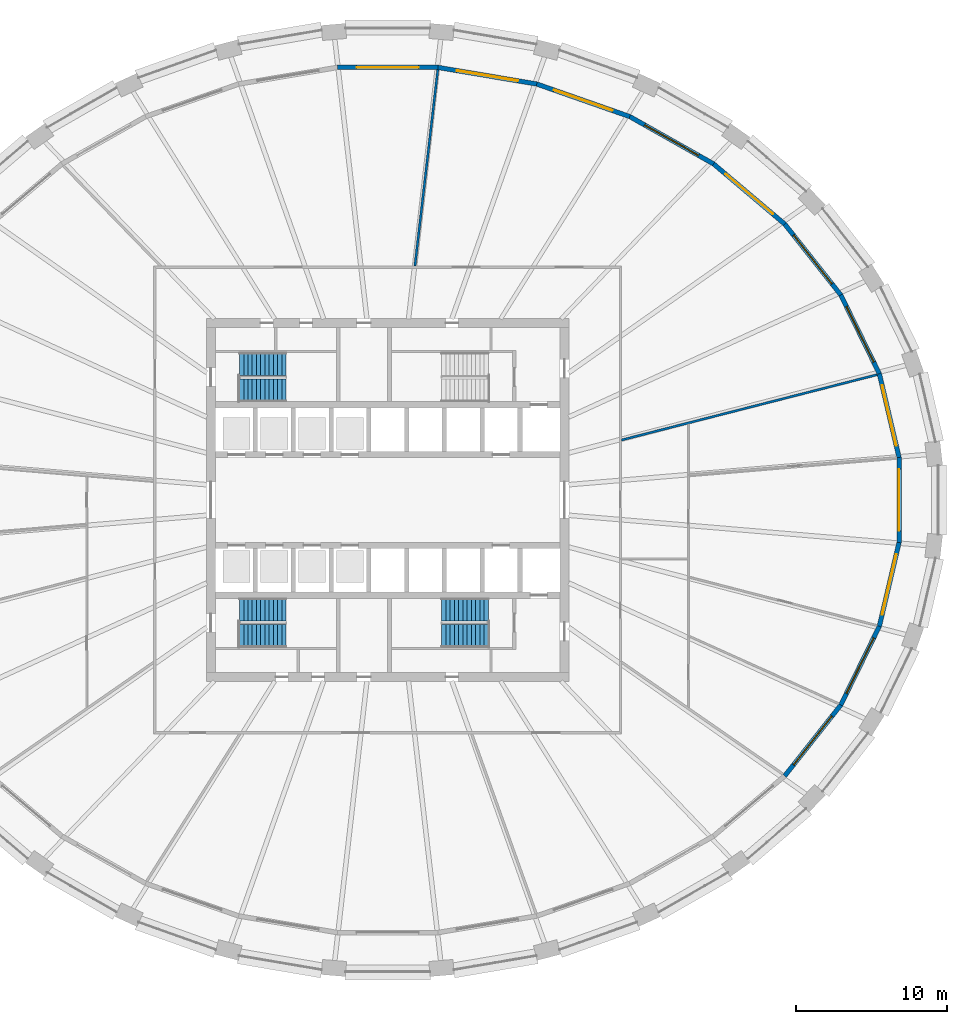
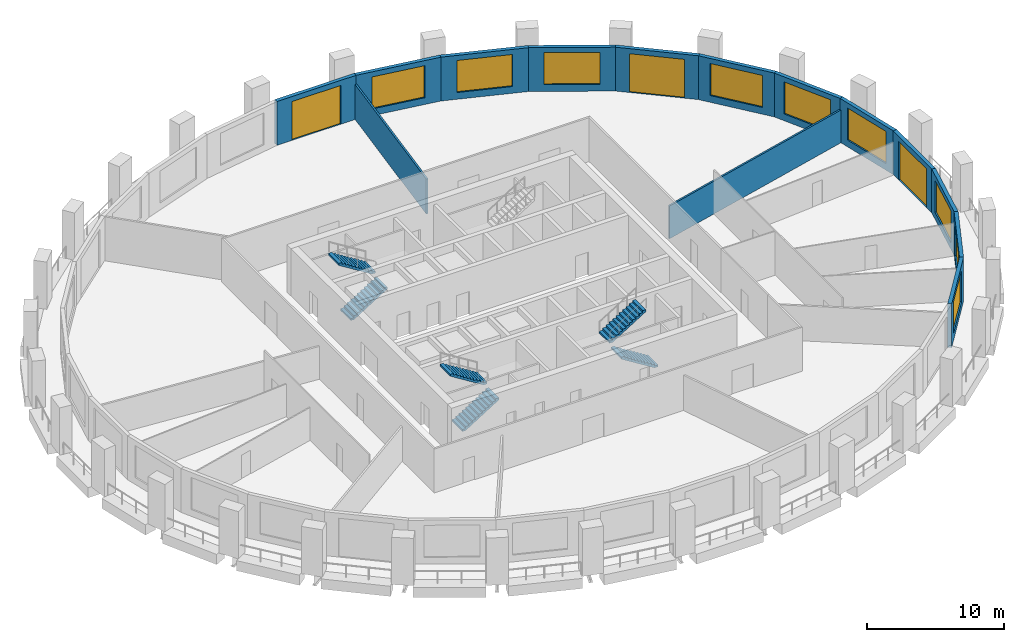
# One storey, part 7 of 11: 14 walls, 9 windows, 6 stair flights, 3 doors, 12 openings, 3 elements without a shape of their own.
"""IFC4 building model written with IfcOpenShell, lengths in metres."""

from ifc_helpers import new_model, si_unit, direction, frame, frame_2d, origin, place, context, subcontext, project, spatial, polyline, rectangle, outline, extrude, material, layer, layer_set, type_object, element, fill, aggregate, save


model = new_model("IFC4")

# Units and contexts
model_context = context("Model", 3, precision=1e-05, world=origin(), true_north=direction((0.0, 1.0)))
body_context = subcontext(model_context, "Body", "Model", "MODEL_VIEW")
ifc_project = project(units=[si_unit("LENGTHUNIT", "METRE"), si_unit("AREAUNIT", "SQUARE_METRE"), si_unit("VOLUMEUNIT", "CUBIC_METRE"), si_unit("PLANEANGLEUNIT", "RADIAN"), si_unit("MASSUNIT", "GRAM", prefix="KILO")], contexts=[model_context])

# Site, building, storey
site_placement = place(None, origin())
site = spatial("IfcSite", under=ifc_project, at=site_placement, CompositionType="ELEMENT")
building_placement = place(site_placement, origin())
building = spatial("IfcBuilding", under=site, at=building_placement, Name="Halqa Exchange Tower", CompositionType="ELEMENT")
storey_placement = place(building_placement, frame((0.0, 0.0, 82.300048828125)))
storey = spatial("IfcBuildingStorey", under=building, at=storey_placement, Name="L18", CompositionType="ELEMENT", Elevation=82.300048828125)

# Walls
ifc_material_1 = material(Name="Fire-rated gypsum board")
ifc_layer_1 = layer(ifc_material_1, 0.14990234375)
ifc_layer_set_1 = layer_set([ifc_layer_1], Name="Fire-rated gypsum board")
wall_type_1 = type_object("IfcWallType", Name="Fire partition EI 60 150", PredefinedType="PARTITIONING", material=ifc_layer_set_1)
wall_1_placement = place(storey_placement, frame((1.7978515625, 15.466552734375, 0.0), z_axis=(0.0, 0.0, 1.0), x_axis=(0.115980148961, 0.993251531611, 0.0)))
element("IfcWall", 1, at=wall_1_placement, inside=storey, type_object=wall_type_1, Name="L18-PWL-011", PredefinedType="PARTITIONING", context=body_context, shape_type="SweptSolid", body=[
    extrude(outline(polyline([(13.07861328125, -0.074951171875), (13.07861328125, 0.03369140625), (13.07373046875, 0.074951171875), (11.2060546875, 0.074951171875), (9.33837890625, 0.074951171875), (7.470703125, 0.074951171875), (5.60302734375, 0.074951171875), (3.7353515625, 0.074951171875), (1.86767578125, 0.074951171875), (0.0, 0.074951171875), (0.0, 0.07275390625), (0.017333984375, -0.074951171875), (1.883056640625, -0.074951171875), (3.7490234375, -0.074951171875), (5.614990234375, -0.074951171875), (7.48095703125, -0.074951171875), (9.3466796875, -0.074951171875), (11.212646484375, -0.074951171875), (13.07861328125, -0.074951171875)])), origin(), (0.0, 0.0, 1.0), 3.10986328125),
])
wall_2_placement = place(storey_placement, frame((15.456787109375, 3.964599609375, 0.0), z_axis=(0.0, 0.0, 1.0), x_axis=(0.968864500014, 0.24759156006, 0.0)))
element("IfcWall", 2, at=wall_2_placement, inside=storey, type_object=wall_type_1, Name="L18-PWL-018", PredefinedType="PARTITIONING", context=body_context, shape_type="SweptSolid", body=[
    extrude(outline(polyline([(0.0, -0.074951171875), (1.505126953125, -0.074951171875), (3.01025390625, -0.074951171875), (4.51513671875, -0.074951171875), (4.515380859375, -0.074951171875), (4.515625, -0.074951171875), (6.365234375, -0.074951171875), (8.21484375, -0.074951171875), (10.064453125, -0.074951171875), (11.9140625, -0.074951171875), (13.763916015625, -0.074951171875), (15.613525390625, -0.074951171875), (17.463134765625, -0.074951171875), (17.463134765625, 0.022705078125), (17.4521484375, 0.074951171875), (15.517333984375, 0.074951171875), (13.582275390625, 0.074951171875), (11.6474609375, 0.074951171875), (9.712646484375, 0.074951171875), (7.777587890625, 0.074951171875), (5.8427734375, 0.074951171875), (3.90771484375, 0.074951171875), (1.972900390625, 0.074951171875), (0.037841796875, 0.074951171875), (0.0, -0.073486328125), (0.0, -0.074951171875)])), origin(), (0.0, 0.0, 1.0), 2.909912109375),
])

# Wall, opening, window
ifc_material_2 = material(Name="Limestone cladding", Category="masonry")
ifc_layer_2 = layer(ifc_material_2, 0.0400390625)
ifc_material_3 = material(Name="Ventilated cavity")
ifc_layer_3 = layer(ifc_material_3, 0.030029296875, ventilated=True)
ifc_material_4 = material(Name="Mineral wool insulation")
ifc_layer_4 = layer(ifc_material_4, 0.10009765625)
ifc_material_5 = material(Name="Concrete C30/37", Category="concrete")
ifc_layer_5 = layer(ifc_material_5, 0.10009765625)
ifc_material_6 = material(Name="Internal plaster")
ifc_layer_6 = layer(ifc_material_6, 0.030029296875)
ifc_layer_set_2 = layer_set([ifc_layer_2, ifc_layer_3, ifc_layer_4, ifc_layer_5, ifc_layer_6], Name="Stone-faced insulated wall 300")
wall_type_2 = type_object("IfcWallType", Name="Stone-faced insulated wall 300", PredefinedType="STANDARD", material=ifc_layer_set_2)
wall_3_placement = place(storey_placement, frame((33.818603515625, 2.820556640625, 0.0), z_axis=(0.0, 0.0, 1.0), x_axis=(-0.229058489262, 0.97341266095, 0.0)))
wall_3 = element("IfcWall", 3, at=wall_3_placement, inside=storey, type_object=wall_type_2, Name="Glass-line wall 1", PredefinedType="STANDARD", context=body_context, shape_type="SweptSolid", body=[
    extrude(outline(polyline([(-0.017333984375, -0.14990234375), (5.699951171875, -0.14990234375), (5.666259765625, 0.14990234375), (0.017333984375, 0.14990234375), (-0.017333984375, -0.14990234375)])), origin(), (0.0, 0.0, 1.0), 3.89990234375),
])
opening_1_placement = place(wall_3_placement, frame((0.79150390625, 0.0, 0.60009765625)))
opening_1 = element("IfcOpeningElement", 4, at=opening_1_placement, cuts=wall_3, Name="Opening W-F1-01", PredefinedType="OPENING", context=body_context, shape_type="SweptSolid", body=[
    extrude(rectangle(XDim=4.10009765625, YDim=2.85009765625, at=frame_2d((2.050048828125, 1.425048828125))), frame((0.0, 0.162109375, 0.0), z_axis=(0.0, -1.0, 0.0), x_axis=(1.0, 0.0, 0.0)), (0.0, 0.0, 1.0), 0.323974609375),
])
ifc_material_7 = material(Name="Clear low-emissivity glass in aluminium frame", Category="aluminium")
window_type = type_object("IfcWindowType", Name="Fixed clear glazed window 4100 x 2850", PartitioningType="TRIPLE_PANEL_VERTICAL", PredefinedType="WINDOW", material=ifc_material_7)
window_1_placement = place(opening_1_placement, origin())
window_1 = element("IfcWindow", 5, at=window_1_placement, inside=storey, type_object=window_type, Name="Window 1", OverallHeight=2.85009765625, OverallWidth=4.10009765625, PartitioningType="TRIPLE_PANEL_VERTICAL", PredefinedType="WINDOW", context=body_context, shape_type="SweptSolid", body=[
    extrude(rectangle(XDim=4.10009765625, YDim=2.85009765625, at=frame_2d((2.050048828125, 1.425048828125))), frame((0.0, 0.030029296875, 0.0), z_axis=(0.0, -1.0, 0.0), x_axis=(1.0, 0.0, 0.0)), (0.0, 0.0, 1.0), 0.06005859375),
])
fill(opening_1, window_1)

wall_4_placement = place(storey_placement, frame((32.516845703125, 8.3525390625, 0.0), z_axis=(0.0, 0.0, 1.0), x_axis=(-0.440027465772, 0.897984314655, 0.0)))
wall_4 = element("IfcWall", 6, at=wall_4_placement, inside=storey, type_object=wall_type_2, Name="Glass-line wall 2", PredefinedType="STANDARD", context=body_context, shape_type="SweptSolid", body=[
    extrude(outline(polyline([(-0.016845703125, -0.14990234375), (5.81689453125, -0.14990234375), (5.78466796875, 0.14990234375), (0.016845703125, 0.14990234375), (-0.016845703125, -0.14990234375)])), origin(), (0.0, 0.0, 1.0), 3.89990234375),
])
opening_2_placement = place(wall_4_placement, frame((0.850341796875, 0.0, 0.60009765625)))
opening_2 = element("IfcOpeningElement", 7, at=opening_2_placement, cuts=wall_4, Name="Opening W-F1-02", PredefinedType="OPENING", context=body_context, shape_type="SweptSolid", body=[
    extrude(rectangle(XDim=4.10009765625, YDim=2.85009765625, at=frame_2d((2.050048828125, 1.425048828125))), frame((0.0, 0.162109375, 0.0), z_axis=(0.0, -1.0, 0.0), x_axis=(1.0, 0.0, 0.0)), (0.0, 0.0, 1.0), 0.323974609375),
])
window_2_placement = place(opening_2_placement, origin())
window_2 = element("IfcWindow", 8, at=window_2_placement, inside=storey, type_object=window_type, Name="Window 1", OverallHeight=2.85009765625, OverallWidth=4.10009765625, PartitioningType="TRIPLE_PANEL_VERTICAL", PredefinedType="WINDOW", context=body_context, shape_type="SweptSolid", body=[
    extrude(rectangle(XDim=4.10009765625, YDim=2.85009765625, at=frame_2d((2.050048828125, 1.425048828125))), frame((0.0, 0.030029296875, 0.0), z_axis=(0.0, -1.0, 0.0), x_axis=(1.0, 0.0, 0.0)), (0.0, 0.0, 1.0), 0.06005859375),
])
fill(opening_2, window_2)

wall_5_placement = place(storey_placement, frame((29.96435546875, 13.5615234375, 0.0), z_axis=(0.0, 0.0, 1.0), x_axis=(-0.620093447965, 0.784527957303, 0.0)))
wall_5 = element("IfcWall", 9, at=wall_5_placement, inside=storey, type_object=wall_type_2, Name="Glass-line wall 3", PredefinedType="STANDARD", context=body_context, shape_type="SweptSolid", body=[
    extrude(outline(polyline([(-0.01611328125, -0.14990234375), (5.98828125, -0.14990234375), (5.9580078125, 0.14990234375), (0.01611328125, 0.14990234375), (-0.01611328125, -0.14990234375)])), origin(), (0.0, 0.0, 1.0), 3.89990234375),
])
opening_3_placement = place(wall_5_placement, frame((0.9365234375, 0.0, 0.60009765625)))
opening_3 = element("IfcOpeningElement", 10, at=opening_3_placement, cuts=wall_5, Name="Opening W-F1-03", PredefinedType="OPENING", context=body_context, shape_type="SweptSolid", body=[
    extrude(rectangle(XDim=4.10009765625, YDim=2.85009765625, at=frame_2d((2.050048828125, 1.425048828125))), frame((0.0, 0.162109375, 0.0), z_axis=(0.0, -1.0, 0.0), x_axis=(1.0, 0.0, 0.0)), (0.0, 0.0, 1.0), 0.323974609375),
])
window_3_placement = place(opening_3_placement, origin())
window_3 = element("IfcWindow", 11, at=window_3_placement, inside=storey, type_object=window_type, Name="Window 1", OverallHeight=2.85009765625, OverallWidth=4.10009765625, PartitioningType="TRIPLE_PANEL_VERTICAL", PredefinedType="WINDOW", context=body_context, shape_type="SweptSolid", body=[
    extrude(rectangle(XDim=4.10009765625, YDim=2.85009765625, at=frame_2d((2.050048828125, 1.425048828125))), frame((0.0, 0.030029296875, 0.0), z_axis=(0.0, -1.0, 0.0), x_axis=(1.0, 0.0, 0.0)), (0.0, 0.0, 1.0), 0.06005859375),
])
fill(opening_3, window_3)

# Wall, opening, door
wall_6_placement = place(storey_placement, frame((26.260498046875, 18.24755859375, 0.0), z_axis=(0.0, 0.0, 1.0), x_axis=(-0.763693886759, 0.645578536916, 0.0)))
wall_6 = element("IfcWall", 12, at=wall_6_placement, inside=storey, type_object=wall_type_2, Name="Glass-line wall 4", PredefinedType="STANDARD", context=body_context, shape_type="SweptSolid", body=[
    extrude(outline(polyline([(-0.01513671875, -0.14990234375), (6.18408203125, -0.14990234375), (6.15576171875, 0.14990234375), (0.01513671875, 0.14990234375), (-0.01513671875, -0.14990234375)])), origin(), (0.0, 0.0, 1.0), 3.89990234375),
])
opening_4_placement = place(wall_6_placement, frame((1.034912109375, 0.0, 0.0)))
opening_4 = element("IfcOpeningElement", 13, at=opening_4_placement, cuts=wall_6, Name="Opening LG-F1-01", PredefinedType="OPENING", context=body_context, shape_type="SweptSolid", body=[
    extrude(rectangle(XDim=4.10009765625, YDim=3.449951171875, at=frame_2d((2.050048828125, 1.72509765625))), frame((0.0, 0.162109375, 0.0), z_axis=(0.0, -1.0, 0.0), x_axis=(1.0, 0.0, 0.0)), (0.0, 0.0, 1.0), 0.323974609375),
])
door_type = type_object("IfcDoorType", Name="Glazed sliding loggia door 4100 x 3450", OperationType="DOUBLE_DOOR_SLIDING", PredefinedType="DOOR", material=ifc_material_7)
door_1_placement = place(opening_4_placement, origin())
door_1 = element("IfcDoor", 14, at=door_1_placement, inside=storey, type_object=door_type, Name="Loggia door 1", OperationType="DOUBLE_DOOR_SLIDING", OverallHeight=3.449951171875, OverallWidth=4.10009765625, PredefinedType="DOOR", context=body_context, shape_type="SweptSolid", body=[
    extrude(rectangle(XDim=4.10009765625, YDim=3.449951171875, at=frame_2d((2.050048828125, 1.72509765625))), frame((0.0, 0.02490234375, 0.0), z_axis=(0.0, -1.0, 0.0), x_axis=(1.0, 0.0, 0.0)), (0.0, 0.0, 1.0), 0.050048828125),
])
fill(opening_4, door_1)

# Wall, opening, window
wall_7_placement = place(storey_placement, frame((21.548583984375, 22.230712890625, 0.0), z_axis=(0.0, 0.0, 1.0), x_axis=(-0.870710061474, 0.491796694629, 0.0)))
wall_7 = element("IfcWall", 15, at=wall_7_placement, inside=storey, type_object=wall_type_2, Name="Glass-line wall 5", PredefinedType="STANDARD", context=body_context, shape_type="SweptSolid", body=[
    extrude(outline(polyline([(-0.01416015625, -0.14990234375), (6.3740234375, -0.14990234375), (6.34716796875, 0.14990234375), (0.01416015625, 0.14990234375), (-0.01416015625, -0.14990234375)])), origin(), (0.0, 0.0, 1.0), 3.89990234375),
])
opening_5_placement = place(wall_7_placement, frame((1.13037109375, 0.0, 0.60009765625)))
opening_5 = element("IfcOpeningElement", 16, at=opening_5_placement, cuts=wall_7, Name="Opening W-F1-05", PredefinedType="OPENING", context=body_context, shape_type="SweptSolid", body=[
    extrude(rectangle(XDim=4.10009765625, YDim=2.85009765625, at=frame_2d((2.050048828125, 1.425048828125))), frame((0.0, 0.162109375, 0.0), z_axis=(0.0, -1.0, 0.0), x_axis=(1.0, 0.0, 0.0)), (0.0, 0.0, 1.0), 0.323974609375),
])
window_4_placement = place(opening_5_placement, origin())
window_4 = element("IfcWindow", 17, at=window_4_placement, inside=storey, type_object=window_type, Name="Window 1", OverallHeight=2.85009765625, OverallWidth=4.10009765625, PartitioningType="TRIPLE_PANEL_VERTICAL", PredefinedType="WINDOW", context=body_context, shape_type="SweptSolid", body=[
    extrude(rectangle(XDim=4.10009765625, YDim=2.85009765625, at=frame_2d((2.050048828125, 1.425048828125))), frame((0.0, 0.030029296875, 0.0), z_axis=(0.0, -1.0, 0.0), x_axis=(1.0, 0.0, 0.0)), (0.0, 0.0, 1.0), 0.06005859375),
])
fill(opening_5, window_4)

wall_8_placement = place(storey_placement, frame((16.01025390625, 25.35888671875, 0.0), z_axis=(0.0, 0.0, 1.0), x_axis=(-0.943815136299, 0.330473884736, 0.0)))
wall_8 = element("IfcWall", 18, at=wall_8_placement, inside=storey, type_object=wall_type_2, Name="Glass-line wall 6", PredefinedType="STANDARD", context=body_context, shape_type="SweptSolid", body=[
    extrude(outline(polyline([(-0.013427734375, -0.14990234375), (6.53076171875, -0.14990234375), (6.50537109375, 0.14990234375), (0.013427734375, 0.14990234375), (-0.013427734375, -0.14990234375)])), origin(), (0.0, 0.0, 1.0), 3.89990234375),
])
opening_6_placement = place(wall_8_placement, frame((1.208984375, 0.0, 0.60009765625)))
opening_6 = element("IfcOpeningElement", 19, at=opening_6_placement, cuts=wall_8, Name="Opening W-F1-06", PredefinedType="OPENING", context=body_context, shape_type="SweptSolid", body=[
    extrude(rectangle(XDim=4.10009765625, YDim=2.85009765625, at=frame_2d((2.050048828125, 1.425048828125))), frame((0.0, 0.162109375, 0.0), z_axis=(0.0, -1.0, 0.0), x_axis=(1.0, 0.0, 0.0)), (0.0, 0.0, 1.0), 0.323974609375),
])
window_5_placement = place(opening_6_placement, origin())
window_5 = element("IfcWindow", 20, at=window_5_placement, inside=storey, type_object=window_type, Name="Window 1", OverallHeight=2.85009765625, OverallWidth=4.10009765625, PartitioningType="TRIPLE_PANEL_VERTICAL", PredefinedType="WINDOW", context=body_context, shape_type="SweptSolid", body=[
    extrude(rectangle(XDim=4.10009765625, YDim=2.85009765625, at=frame_2d((2.050048828125, 1.425048828125))), frame((0.0, 0.030029296875, 0.0), z_axis=(0.0, -1.0, 0.0), x_axis=(1.0, 0.0, 0.0)), (0.0, 0.0, 1.0), 0.06005859375),
])
fill(opening_6, window_5)

wall_9_placement = place(storey_placement, frame((9.8583984375, 27.512939453125, 0.0), z_axis=(0.0, 0.0, 1.0), x_axis=(-0.986157735925, 0.165809890767, 0.0)))
wall_9 = element("IfcWall", 21, at=wall_9_placement, inside=storey, type_object=wall_type_2, Name="Glass-line wall 7", PredefinedType="STANDARD", context=body_context, shape_type="SweptSolid", body=[
    extrude(outline(polyline([(-0.0126953125, -0.14990234375), (6.6337890625, -0.14990234375), (6.60888671875, 0.14990234375), (0.0126953125, 0.14990234375), (-0.0126953125, -0.14990234375)])), origin(), (0.0, 0.0, 1.0), 3.89990234375),
])
opening_7_placement = place(wall_9_placement, frame((1.2607421875, 0.0, 0.60009765625)))
opening_7 = element("IfcOpeningElement", 22, at=opening_7_placement, cuts=wall_9, Name="Opening W-F1-07", PredefinedType="OPENING", context=body_context, shape_type="SweptSolid", body=[
    extrude(rectangle(XDim=4.10009765625, YDim=2.85009765625, at=frame_2d((2.050048828125, 1.425048828125))), frame((0.0, 0.162109375, 0.0), z_axis=(0.0, -1.0, 0.0), x_axis=(1.0, 0.0, 0.0)), (0.0, 0.0, 1.0), 0.323974609375),
])
window_6_placement = place(opening_7_placement, origin())
window_6 = element("IfcWindow", 23, at=window_6_placement, inside=storey, type_object=window_type, Name="Window 1", OverallHeight=2.85009765625, OverallWidth=4.10009765625, PartitioningType="TRIPLE_PANEL_VERTICAL", PredefinedType="WINDOW", context=body_context, shape_type="SweptSolid", body=[
    extrude(rectangle(XDim=4.10009765625, YDim=2.85009765625, at=frame_2d((2.050048828125, 1.425048828125))), frame((0.0, 0.030029296875, 0.0), z_axis=(0.0, -1.0, 0.0), x_axis=(1.0, 0.0, 0.0)), (0.0, 0.0, 1.0), 0.06005859375),
])
fill(opening_7, window_6)

# Wall, opening, door
wall_10_placement = place(storey_placement, frame((3.32861328125, 28.61083984375, 0.0), z_axis=(0.0, 0.0, 1.0), x_axis=(-1.0, 0.0, 0.0)))
wall_10 = element("IfcWall", 24, at=wall_10_placement, inside=storey, type_object=wall_type_2, Name="Glass-line wall 8", PredefinedType="STANDARD", context=body_context, shape_type="SweptSolid", body=[
    extrude(outline(polyline([(-0.012451171875, -0.14990234375), (6.669677734375, -0.14990234375), (6.644775390625, 0.14990234375), (0.012451171875, 0.14990234375), (-0.012451171875, -0.14990234375)])), origin(), (0.0, 0.0, 1.0), 3.89990234375),
])
opening_8_placement = place(wall_10_placement, frame((1.278564453125, 0.0, 0.0)))
opening_8 = element("IfcOpeningElement", 25, at=opening_8_placement, cuts=wall_10, Name="Opening LG-F1-02", PredefinedType="OPENING", context=body_context, shape_type="SweptSolid", body=[
    extrude(rectangle(XDim=4.10009765625, YDim=3.449951171875, at=frame_2d((2.050048828125, 1.72509765625))), frame((0.0, 0.162109375, 0.0), z_axis=(0.0, -1.0, 0.0), x_axis=(1.0, 0.0, 0.0)), (0.0, 0.0, 1.0), 0.323974609375),
])
door_2_placement = place(opening_8_placement, origin())
door_2 = element("IfcDoor", 26, at=door_2_placement, inside=storey, type_object=door_type, Name="Loggia door 2", OperationType="DOUBLE_DOOR_SLIDING", OverallHeight=3.449951171875, OverallWidth=4.10009765625, PredefinedType="DOOR", context=body_context, shape_type="SweptSolid", body=[
    extrude(rectangle(XDim=4.10009765625, YDim=3.449951171875, at=frame_2d((2.050048828125, 1.72509765625))), frame((0.0, 0.02490234375, 0.0), z_axis=(0.0, -1.0, 0.0), x_axis=(1.0, 0.0, 0.0)), (0.0, 0.0, 1.0), 0.050048828125),
])
fill(opening_8, door_2)

# Wall, opening, window
wall_11_placement = place(storey_placement, frame((26.260498046875, -18.24755859375, 0.0), z_axis=(0.0, 0.0, 1.0), x_axis=(0.620093447965, 0.784527957303, 0.0)))
wall_11 = element("IfcWall", 27, at=wall_11_placement, inside=storey, type_object=wall_type_2, Name="Glass-line wall 29", PredefinedType="STANDARD", context=body_context, shape_type="SweptSolid", body=[
    extrude(outline(polyline([(-0.01513671875, -0.14990234375), (5.9892578125, -0.14990234375), (5.95703125, 0.14990234375), (0.01513671875, 0.14990234375), (-0.01513671875, -0.14990234375)])), origin(), (0.0, 0.0, 1.0), 3.89990234375),
])
opening_9_placement = place(wall_11_placement, frame((0.9365234375, 0.0, 0.60009765625)))
opening_9 = element("IfcOpeningElement", 28, at=opening_9_placement, cuts=wall_11, Name="Opening W-F1-29", PredefinedType="OPENING", context=body_context, shape_type="SweptSolid", body=[
    extrude(rectangle(XDim=4.10009765625, YDim=2.85009765625, at=frame_2d((2.050048828125, 1.425048828125))), frame((0.0, 0.162109375, 0.0), z_axis=(0.0, -1.0, 0.0), x_axis=(1.0, 0.0, 0.0)), (0.0, 0.0, 1.0), 0.323974609375),
])
window_7_placement = place(opening_9_placement, origin())
window_7 = element("IfcWindow", 29, at=window_7_placement, inside=storey, type_object=window_type, Name="Window 1", OverallHeight=2.85009765625, OverallWidth=4.10009765625, PartitioningType="TRIPLE_PANEL_VERTICAL", PredefinedType="WINDOW", context=body_context, shape_type="SweptSolid", body=[
    extrude(rectangle(XDim=4.10009765625, YDim=2.85009765625, at=frame_2d((2.050048828125, 1.425048828125))), frame((0.0, 0.030029296875, 0.0), z_axis=(0.0, -1.0, 0.0), x_axis=(1.0, 0.0, 0.0)), (0.0, 0.0, 1.0), 0.06005859375),
])
fill(opening_9, window_7)

wall_12_placement = place(storey_placement, frame((29.96435546875, -13.5615234375, 0.0), z_axis=(0.0, 0.0, 1.0), x_axis=(0.440027465772, 0.897984314655, 0.0)))
wall_12 = element("IfcWall", 30, at=wall_12_placement, inside=storey, type_object=wall_type_2, Name="Glass-line wall 30", PredefinedType="STANDARD", context=body_context, shape_type="SweptSolid", body=[
    extrude(outline(polyline([(-0.01611328125, -0.14990234375), (5.817626953125, -0.14990234375), (5.783935546875, 0.14990234375), (0.01611328125, 0.14990234375), (-0.01611328125, -0.14990234375)])), origin(), (0.0, 0.0, 1.0), 3.89990234375),
])
opening_10_placement = place(wall_12_placement, frame((0.850341796875, 0.0, 0.60009765625)))
opening_10 = element("IfcOpeningElement", 31, at=opening_10_placement, cuts=wall_12, Name="Opening W-F1-30", PredefinedType="OPENING", context=body_context, shape_type="SweptSolid", body=[
    extrude(rectangle(XDim=4.10009765625, YDim=2.85009765625, at=frame_2d((2.050048828125, 1.425048828125))), frame((0.0, 0.162109375, 0.0), z_axis=(0.0, -1.0, 0.0), x_axis=(1.0, 0.0, 0.0)), (0.0, 0.0, 1.0), 0.323974609375),
])
window_8_placement = place(opening_10_placement, origin())
window_8 = element("IfcWindow", 32, at=window_8_placement, inside=storey, type_object=window_type, Name="Window 1", OverallHeight=2.85009765625, OverallWidth=4.10009765625, PartitioningType="TRIPLE_PANEL_VERTICAL", PredefinedType="WINDOW", context=body_context, shape_type="SweptSolid", body=[
    extrude(rectangle(XDim=4.10009765625, YDim=2.85009765625, at=frame_2d((2.050048828125, 1.425048828125))), frame((0.0, 0.030029296875, 0.0), z_axis=(0.0, -1.0, 0.0), x_axis=(1.0, 0.0, 0.0)), (0.0, 0.0, 1.0), 0.06005859375),
])
fill(opening_10, window_8)

wall_13_placement = place(storey_placement, frame((32.516845703125, -8.3525390625, 0.0), z_axis=(0.0, 0.0, 1.0), x_axis=(0.229058489262, 0.97341266095, 0.0)))
wall_13 = element("IfcWall", 33, at=wall_13_placement, inside=storey, type_object=wall_type_2, Name="Glass-line wall 31", PredefinedType="STANDARD", context=body_context, shape_type="SweptSolid", body=[
    extrude(outline(polyline([(-0.016845703125, -0.14990234375), (5.700439453125, -0.14990234375), (5.665771484375, 0.14990234375), (0.016845703125, 0.14990234375), (-0.016845703125, -0.14990234375)])), origin(), (0.0, 0.0, 1.0), 3.89990234375),
])
opening_11_placement = place(wall_13_placement, frame((0.79150390625, 0.0, 0.60009765625)))
opening_11 = element("IfcOpeningElement", 34, at=opening_11_placement, cuts=wall_13, Name="Opening W-F1-31", PredefinedType="OPENING", context=body_context, shape_type="SweptSolid", body=[
    extrude(rectangle(XDim=4.10009765625, YDim=2.85009765625, at=frame_2d((2.050048828125, 1.425048828125))), frame((0.0, 0.162109375, 0.0), z_axis=(0.0, -1.0, 0.0), x_axis=(1.0, 0.0, 0.0)), (0.0, 0.0, 1.0), 0.323974609375),
])
window_9_placement = place(opening_11_placement, origin())
window_9 = element("IfcWindow", 35, at=window_9_placement, inside=storey, type_object=window_type, Name="Window 1", OverallHeight=2.85009765625, OverallWidth=4.10009765625, PartitioningType="TRIPLE_PANEL_VERTICAL", PredefinedType="WINDOW", context=body_context, shape_type="SweptSolid", body=[
    extrude(rectangle(XDim=4.10009765625, YDim=2.85009765625, at=frame_2d((2.050048828125, 1.425048828125))), frame((0.0, 0.030029296875, 0.0), z_axis=(0.0, -1.0, 0.0), x_axis=(1.0, 0.0, 0.0)), (0.0, 0.0, 1.0), 0.06005859375),
])
fill(opening_11, window_9)

# Wall, opening, door
wall_14_placement = place(storey_placement, frame((33.818603515625, -2.820556640625, 0.0), z_axis=(0.0, 0.0, 1.0), x_axis=(0.0, 1.0, 0.0)))
wall_14 = element("IfcWall", 36, at=wall_14_placement, inside=storey, type_object=wall_type_2, Name="Glass-line wall 32", PredefinedType="STANDARD", context=body_context, shape_type="SweptSolid", body=[
    extrude(outline(polyline([(-0.017333984375, -0.14990234375), (5.658447265625, -0.14990234375), (5.623779296875, 0.14990234375), (0.017333984375, 0.14990234375), (-0.017333984375, -0.14990234375)])), origin(), (0.0, 0.0, 1.0), 3.89990234375),
])
opening_12_placement = place(wall_14_placement, frame((0.7705078125, 0.0, 0.0)))
opening_12 = element("IfcOpeningElement", 37, at=opening_12_placement, cuts=wall_14, Name="Opening LG-F1-08", PredefinedType="OPENING", context=body_context, shape_type="SweptSolid", body=[
    extrude(rectangle(XDim=4.10009765625, YDim=3.449951171875, at=frame_2d((2.050048828125, 1.72509765625))), frame((0.0, 0.162109375, 0.0), z_axis=(0.0, -1.0, 0.0), x_axis=(1.0, 0.0, 0.0)), (0.0, 0.0, 1.0), 0.323974609375),
])
door_3_placement = place(opening_12_placement, origin())
door_3 = element("IfcDoor", 38, at=door_3_placement, inside=storey, type_object=door_type, Name="Loggia door 8", OperationType="DOUBLE_DOOR_SLIDING", OverallHeight=3.449951171875, OverallWidth=4.10009765625, PredefinedType="DOOR", context=body_context, shape_type="SweptSolid", body=[
    extrude(rectangle(XDim=4.10009765625, YDim=3.449951171875, at=frame_2d((2.050048828125, 1.72509765625))), frame((0.0, 0.02490234375, 0.0), z_axis=(0.0, -1.0, 0.0), x_axis=(1.0, 0.0, 0.0)), (0.0, 0.0, 1.0), 0.050048828125),
])
fill(opening_12, door_3)

# Stair, stair flights
stair_type = type_object("IfcStairType", Name="Exit stair 1500 wide", PredefinedType="HALF_TURN_STAIR", material=ifc_material_5)
stair_1_placement = place(storey_placement, origin())
stair_1 = element("IfcStair", 39, at=stair_1_placement, inside=storey, type_object=stair_type, Name="Exit stair ST1", PredefinedType="HALF_TURN_STAIR")
stair_flight_type = type_object("IfcStairFlightType", Name="Stair flight 1500 wide", PredefinedType="STRAIGHT", material=ifc_material_5)
stair_flight_1_placement = place(storey_placement, frame((-9.800048828125, 7.25, 0.0), z_axis=(0.0, 0.0, 1.0), x_axis=(1.0, 0.0, 0.0)))
stair_flight_1 = element("IfcStairFlight", 40, at=stair_flight_1_placement, type_object=stair_flight_type, Name="ST1 flight 1", NumberOfRisers=12, NumberOfTreads=11, PredefinedType="STRAIGHT", RiserHeight=0.175, TreadLength=0.28, context=body_context, shape_type="SweptSolid", body=[
    extrude(outline(polyline([(0.0, 0.0), (0.0, 0.175048828125), (0.280029296875, 0.175048828125), (0.280029296875, 0.35009765625), (0.56005859375, 0.35009765625), (0.56005859375, 0.52490234375), (0.840087890625, 0.52490234375), (0.840087890625, 0.699951171875), (1.1201171875, 0.699951171875), (1.1201171875, 0.875), (1.39990234375, 0.875), (1.39990234375, 1.050048828125), (1.679931640625, 1.050048828125), (1.679931640625, 1.22509765625), (1.9599609375, 1.22509765625), (1.9599609375, 1.39990234375), (2.239990234375, 1.39990234375), (2.239990234375, 1.574951171875), (2.52001953125, 1.574951171875), (2.52001953125, 1.75), (2.800048828125, 1.75), (2.800048828125, 1.925048828125), (3.080078125, 1.925048828125), (3.080078125, 2.10009765625), (3.080078125, 1.748291015625), (0.28271484375, 0.0), (0.0, 0.0)])), frame((0.0, 0.75, 0.0), z_axis=(0.0, -1.0, 0.0), x_axis=(1.0, 0.0, 0.0)), (0.0, 0.0, 1.0), 1.5),
])
stair_flight_2_placement = place(storey_placement, frame((-6.719970703125, 9.0, 2.099853515625), z_axis=(0.0, 0.0, 1.0), x_axis=(-1.0, 0.0, 0.0)))
stair_flight_2 = element("IfcStairFlight", 41, at=stair_flight_2_placement, type_object=stair_flight_type, Name="ST1 flight 2", NumberOfRisers=12, NumberOfTreads=11, PredefinedType="STRAIGHT", RiserHeight=0.175, TreadLength=0.28, context=body_context, shape_type="SweptSolid", body=[
    extrude(outline(polyline([(0.0, 0.0), (0.0, 0.175048828125), (0.280029296875, 0.175048828125), (0.280029296875, 0.35009765625), (0.56005859375, 0.35009765625), (0.56005859375, 0.52490234375), (0.840087890625, 0.52490234375), (0.840087890625, 0.699951171875), (1.1201171875, 0.699951171875), (1.1201171875, 0.875), (1.39990234375, 0.875), (1.39990234375, 1.050048828125), (1.679931640625, 1.050048828125), (1.679931640625, 1.22509765625), (1.9599609375, 1.22509765625), (1.9599609375, 1.39990234375), (2.239990234375, 1.39990234375), (2.239990234375, 1.574951171875), (2.52001953125, 1.574951171875), (2.52001953125, 1.75), (2.800048828125, 1.75), (2.800048828125, 1.925048828125), (3.080078125, 1.925048828125), (3.080078125, 2.10009765625), (3.080078125, 1.748291015625), (0.28271484375, 0.0), (0.0, 0.0)])), frame((0.0, 0.75, 0.0), z_axis=(0.0, -1.0, 0.0), x_axis=(1.0, 0.0, 0.0)), (0.0, 0.0, 1.0), 1.5),
])
aggregate(stair_1, [stair_flight_1, stair_flight_2])

stair_2_placement = place(storey_placement, origin())
stair_2 = element("IfcStair", 42, at=stair_2_placement, inside=storey, type_object=stair_type, Name="Exit stair ST3", PredefinedType="HALF_TURN_STAIR")
stair_flight_3_placement = place(storey_placement, frame((-9.800048828125, -9.0, 0.0), z_axis=(0.0, 0.0, 1.0), x_axis=(1.0, 0.0, 0.0)))
stair_flight_3 = element("IfcStairFlight", 43, at=stair_flight_3_placement, type_object=stair_flight_type, Name="ST3 flight 1", NumberOfRisers=12, NumberOfTreads=11, PredefinedType="STRAIGHT", RiserHeight=0.175, TreadLength=0.28, context=body_context, shape_type="SweptSolid", body=[
    extrude(outline(polyline([(0.0, 0.0), (0.0, 0.175048828125), (0.280029296875, 0.175048828125), (0.280029296875, 0.35009765625), (0.56005859375, 0.35009765625), (0.56005859375, 0.52490234375), (0.840087890625, 0.52490234375), (0.840087890625, 0.699951171875), (1.1201171875, 0.699951171875), (1.1201171875, 0.875), (1.39990234375, 0.875), (1.39990234375, 1.050048828125), (1.679931640625, 1.050048828125), (1.679931640625, 1.22509765625), (1.9599609375, 1.22509765625), (1.9599609375, 1.39990234375), (2.239990234375, 1.39990234375), (2.239990234375, 1.574951171875), (2.52001953125, 1.574951171875), (2.52001953125, 1.75), (2.800048828125, 1.75), (2.800048828125, 1.925048828125), (3.080078125, 1.925048828125), (3.080078125, 2.10009765625), (3.080078125, 1.748291015625), (0.28271484375, 0.0), (0.0, 0.0)])), frame((0.0, 0.75, 0.0), z_axis=(0.0, -1.0, 0.0), x_axis=(1.0, 0.0, 0.0)), (0.0, 0.0, 1.0), 1.5),
])
stair_flight_4_placement = place(storey_placement, frame((-6.719970703125, -7.25, 2.099853515625), z_axis=(0.0, 0.0, 1.0), x_axis=(-1.0, 0.0, 0.0)))
stair_flight_4 = element("IfcStairFlight", 44, at=stair_flight_4_placement, type_object=stair_flight_type, Name="ST3 flight 2", NumberOfRisers=12, NumberOfTreads=11, PredefinedType="STRAIGHT", RiserHeight=0.175, TreadLength=0.28, context=body_context, shape_type="SweptSolid", body=[
    extrude(outline(polyline([(0.0, 0.0), (0.0, 0.175048828125), (0.280029296875, 0.175048828125), (0.280029296875, 0.35009765625), (0.56005859375, 0.35009765625), (0.56005859375, 0.52490234375), (0.840087890625, 0.52490234375), (0.840087890625, 0.699951171875), (1.1201171875, 0.699951171875), (1.1201171875, 0.875), (1.39990234375, 0.875), (1.39990234375, 1.050048828125), (1.679931640625, 1.050048828125), (1.679931640625, 1.22509765625), (1.9599609375, 1.22509765625), (1.9599609375, 1.39990234375), (2.239990234375, 1.39990234375), (2.239990234375, 1.574951171875), (2.52001953125, 1.574951171875), (2.52001953125, 1.75), (2.800048828125, 1.75), (2.800048828125, 1.925048828125), (3.080078125, 1.925048828125), (3.080078125, 2.10009765625), (3.080078125, 1.748291015625), (0.28271484375, 0.0), (0.0, 0.0)])), frame((0.0, 0.75, 0.0), z_axis=(0.0, -1.0, 0.0), x_axis=(1.0, 0.0, 0.0)), (0.0, 0.0, 1.0), 1.5),
])
aggregate(stair_2, [stair_flight_3, stair_flight_4])

stair_3_placement = place(storey_placement, origin())
stair_3 = element("IfcStair", 45, at=stair_3_placement, inside=storey, type_object=stair_type, Name="Exit stair ST4", PredefinedType="HALF_TURN_STAIR")
stair_flight_5_placement = place(storey_placement, frame((6.64990234375, -9.0, 0.0), z_axis=(0.0, 0.0, 1.0), x_axis=(-1.0, 0.0, 0.0)))
stair_flight_5 = element("IfcStairFlight", 46, at=stair_flight_5_placement, type_object=stair_flight_type, Name="ST4 flight 1", NumberOfRisers=12, NumberOfTreads=11, PredefinedType="STRAIGHT", RiserHeight=0.175, TreadLength=0.28, context=body_context, shape_type="SweptSolid", body=[
    extrude(outline(polyline([(0.0, 0.0), (0.0, 0.175048828125), (0.280029296875, 0.175048828125), (0.280029296875, 0.35009765625), (0.56005859375, 0.35009765625), (0.56005859375, 0.52490234375), (0.840087890625, 0.52490234375), (0.840087890625, 0.699951171875), (1.1201171875, 0.699951171875), (1.1201171875, 0.875), (1.39990234375, 0.875), (1.39990234375, 1.050048828125), (1.679931640625, 1.050048828125), (1.679931640625, 1.22509765625), (1.9599609375, 1.22509765625), (1.9599609375, 1.39990234375), (2.239990234375, 1.39990234375), (2.239990234375, 1.574951171875), (2.52001953125, 1.574951171875), (2.52001953125, 1.75), (2.800048828125, 1.75), (2.800048828125, 1.925048828125), (3.080078125, 1.925048828125), (3.080078125, 2.10009765625), (3.080078125, 1.748291015625), (0.28271484375, 0.0), (0.0, 0.0)])), frame((0.0, 0.75, 0.0), z_axis=(0.0, -1.0, 0.0), x_axis=(1.0, 0.0, 0.0)), (0.0, 0.0, 1.0), 1.5),
])
stair_flight_6_placement = place(storey_placement, frame((3.570068359375, -7.25, 2.099853515625), z_axis=(0.0, 0.0, 1.0), x_axis=(1.0, 0.0, 0.0)))
stair_flight_6 = element("IfcStairFlight", 47, at=stair_flight_6_placement, type_object=stair_flight_type, Name="ST4 flight 2", NumberOfRisers=12, NumberOfTreads=11, PredefinedType="STRAIGHT", RiserHeight=0.175, TreadLength=0.28, context=body_context, shape_type="SweptSolid", body=[
    extrude(outline(polyline([(0.0, 0.0), (0.0, 0.175048828125), (0.280029296875, 0.175048828125), (0.280029296875, 0.35009765625), (0.56005859375, 0.35009765625), (0.56005859375, 0.52490234375), (0.840087890625, 0.52490234375), (0.840087890625, 0.699951171875), (1.1201171875, 0.699951171875), (1.1201171875, 0.875), (1.39990234375, 0.875), (1.39990234375, 1.050048828125), (1.679931640625, 1.050048828125), (1.679931640625, 1.22509765625), (1.9599609375, 1.22509765625), (1.9599609375, 1.39990234375), (2.239990234375, 1.39990234375), (2.239990234375, 1.574951171875), (2.52001953125, 1.574951171875), (2.52001953125, 1.75), (2.800048828125, 1.75), (2.800048828125, 1.925048828125), (3.080078125, 1.925048828125), (3.080078125, 2.10009765625), (3.080078125, 1.748291015625), (0.28271484375, 0.0), (0.0, 0.0)])), frame((0.0, 0.75, 0.0), z_axis=(0.0, -1.0, 0.0), x_axis=(1.0, 0.0, 0.0)), (0.0, 0.0, 1.0), 1.5),
])
aggregate(stair_3, [stair_flight_5, stair_flight_6])

save(model, "model.ifc")
